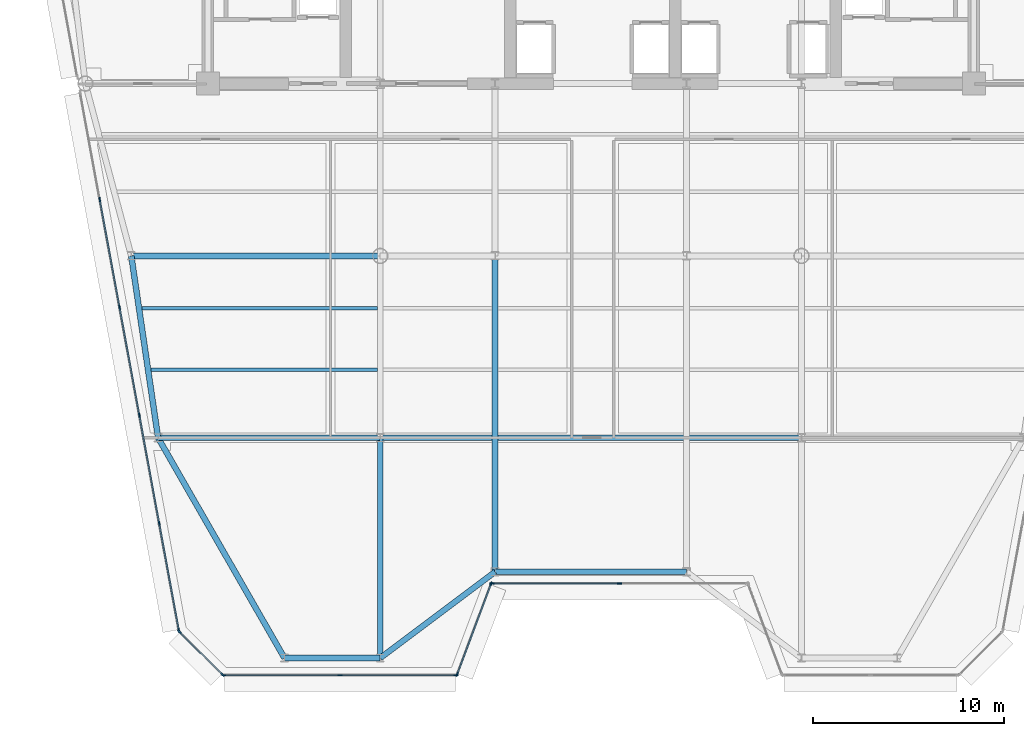
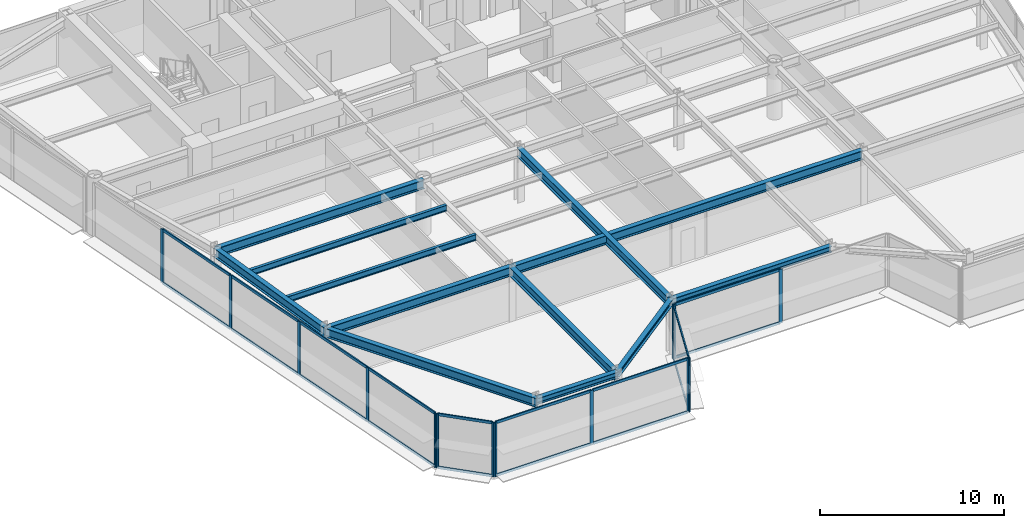
# One storey, part 2 of 15: 32 members, 12 beams, 5 elements without a shape of their own.
"""IFC4 building model written with IfcOpenShell, lengths in metres."""

from ifc_helpers import new_model, si_unit, direction, frame, origin, origin_2d, place, context, subcontext, project, spatial, rectangle, i_section, extrude, source, transform, mapped, material, layer, layer_set, material_profile, profile_set, type_object, element, aggregate, save


model = new_model("IFC4")

# Units and contexts
model_context = context("Model", 3, precision=1e-05, world=origin(), true_north=direction((0.0, 1.0)))
body_context = subcontext(model_context, "Body", "Model", "MODEL_VIEW")
ifc_project = project(units=[si_unit("LENGTHUNIT", "METRE"), si_unit("AREAUNIT", "SQUARE_METRE"), si_unit("VOLUMEUNIT", "CUBIC_METRE"), si_unit("PLANEANGLEUNIT", "RADIAN"), si_unit("MASSUNIT", "GRAM", prefix="KILO")], contexts=[model_context])

# Site, building, storey
site_placement = place(None, origin())
site = spatial("IfcSite", under=ifc_project, at=site_placement, CompositionType="ELEMENT")
building_placement = place(site_placement, origin())
building = spatial("IfcBuilding", under=site, at=building_placement, Name="Vaeldorn Concourse Tower", CompositionType="ELEMENT")
storey_placement = place(building_placement, frame((0.0, 0.0, 199.39990234375)))
storey = spatial("IfcBuildingStorey", under=building, at=storey_placement, Name="L51", CompositionType="ELEMENT", Elevation=199.39990234375)

# Beams
ifc_material_1 = material(Name="Steel S355", Category="steel")
ifc_material_profile_1 = material_profile(ifc_material_1, i_section(OverallWidth=0.300048828125, OverallDepth=0.60009765625, WebThickness=0.015380859375, FlangeThickness=0.030029296875, FilletRadius=0.027099609375, at=origin_2d()), Name="HEB 600")
ifc_profile_set_1 = profile_set([ifc_material_profile_1], Name="Steel S355")
beam_type_1 = type_object("IfcBeamType", Name="BM-PG-HEB600", PredefinedType="BEAM", material=ifc_profile_set_1)
shared_shape_1 = source(origin(), body_context, "Body", "SweptSolid", [
    extrude(i_section(OverallWidth=0.300048828125, OverallDepth=0.60009765625, WebThickness=0.015380859375, FlangeThickness=0.030029296875, FilletRadius=0.027099609375, at=origin_2d()), origin(), (0.0, 0.0, 1.0), 13.0),
])
beam_1_placement = place(storey_placement, frame((10.0, 27.5, 3.280029296875), z_axis=(1.0, 0.0, 0.0), x_axis=(0.0, 1.0, 0.0)))
element("IfcBeam", 1, at=beam_1_placement, inside=storey, type_object=beam_type_1, Name="Beam BM-L51-C-FLW1-C-TW1", PredefinedType="BEAM", context=body_context, shape_type="MappedRepresentation", body=[
    mapped(shared_shape_1, transform((0.0, 0.0, 0.0), scale=1.0)),
])
shared_shape_2 = source(origin(), body_context, "Body", "SweptSolid", [
    extrude(i_section(OverallWidth=0.300048828125, OverallDepth=0.60009765625, WebThickness=0.015380859375, FlangeThickness=0.030029296875, FilletRadius=0.027099609375, at=origin_2d()), origin(), (0.0, 0.0, 1.0), 9.6025390625),
])
beam_2_placement = place(storey_placement, frame((10.0, 27.5, 3.280029296875), z_axis=(0.145783835977, -0.989316467652, 0.0), x_axis=(0.989316467652, 0.145783835977, 0.0)))
element("IfcBeam", 2, at=beam_2_placement, inside=storey, type_object=beam_type_1, Name="Beam BM-L51-C-FLW1-C-FLW2", PredefinedType="BEAM", context=body_context, shape_type="MappedRepresentation", body=[
    mapped(shared_shape_2, transform((0.0, 0.0, 0.0), scale=1.0)),
])
shared_shape_3 = source(origin(), body_context, "Body", "SweptSolid", [
    extrude(i_section(OverallWidth=0.300048828125, OverallDepth=0.60009765625, WebThickness=0.015380859375, FlangeThickness=0.030029296875, FilletRadius=0.027099609375, at=origin_2d()), origin(), (0.0, 0.0, 1.0), 11.60009765625),
])
beam_3_placement = place(storey_placement, frame((11.39990234375, 18.0, 3.280029296875), z_axis=(1.0, 0.0, 0.0), x_axis=(0.0, 1.0, 0.0)))
element("IfcBeam", 3, at=beam_3_placement, inside=storey, type_object=beam_type_1, Name="Beam BM-L51-C-FLW2-C-TW5", PredefinedType="BEAM", context=body_context, shape_type="MappedRepresentation", body=[
    mapped(shared_shape_3, transform((0.0, 0.0, 0.0), scale=1.0)),
])
shared_shape_4 = source(origin(), body_context, "Body", "SweptSolid", [
    extrude(i_section(OverallWidth=0.300048828125, OverallDepth=0.60009765625, WebThickness=0.015380859375, FlangeThickness=0.030029296875, FilletRadius=0.027099609375, at=origin_2d()), origin(), (0.0, 0.0, 1.0), 22.0),
])
beam_4_placement = place(storey_placement, frame((23.0, 18.0, 3.280029296875), z_axis=(1.0, 0.0, 0.0), x_axis=(0.0, 1.0, 0.0)))
element("IfcBeam", 4, at=beam_4_placement, inside=storey, type_object=beam_type_1, Name="Beam BM-L51-C-TW5-C-TW6", PredefinedType="BEAM", context=body_context, shape_type="MappedRepresentation", body=[
    mapped(shared_shape_4, transform((0.0, 0.0, 0.0), scale=1.0)),
])
shared_shape_5 = source(origin(), body_context, "Body", "SweptSolid", [
    extrude(i_section(OverallWidth=0.300048828125, OverallDepth=0.60009765625, WebThickness=0.015380859375, FlangeThickness=0.030029296875, FilletRadius=0.027099609375, at=origin_2d()), origin(), (0.0, 0.0, 1.0), 13.25927734375),
])
beam_5_placement = place(storey_placement, frame((18.0, 6.5, 3.280029296875), z_axis=(-0.497768009943, 0.867310214558, 0.0), x_axis=(-0.867310214558, -0.497768009943, 0.0)))
element("IfcBeam", 5, at=beam_5_placement, inside=storey, type_object=beam_type_1, Name="Beam BM-L51-C-SF1-C-FLW2", PredefinedType="BEAM", context=body_context, shape_type="MappedRepresentation", body=[
    mapped(shared_shape_5, transform((0.0, 0.0, 0.0), scale=1.0)),
])
shared_shape_6 = source(origin(), body_context, "Body", "SweptSolid", [
    extrude(i_section(OverallWidth=0.300048828125, OverallDepth=0.60009765625, WebThickness=0.015380859375, FlangeThickness=0.030029296875, FilletRadius=0.027099609375, at=origin_2d()), origin(), (0.0, 0.0, 1.0), 11.5),
])
beam_6_placement = place(storey_placement, frame((23.0, 6.5, 3.280029296875), z_axis=(0.0, 1.0, 0.0), x_axis=(-1.0, 0.0, 0.0)))
element("IfcBeam", 6, at=beam_6_placement, inside=storey, type_object=beam_type_1, Name="Beam BM-L51-C-SF2-C-TW5", PredefinedType="BEAM", context=body_context, shape_type="MappedRepresentation", body=[
    mapped(shared_shape_6, transform((0.0, 0.0, 0.0), scale=1.0)),
])
shared_shape_7 = source(origin(), body_context, "Body", "SweptSolid", [
    extrude(i_section(OverallWidth=0.300048828125, OverallDepth=0.60009765625, WebThickness=0.015380859375, FlangeThickness=0.030029296875, FilletRadius=0.027099609375, at=origin_2d()), origin(), (0.0, 0.0, 1.0), 16.5),
])
beam_7_placement = place(storey_placement, frame((29.0, 11.0, 3.280029296875), z_axis=(0.0, 1.0, 0.0), x_axis=(-1.0, 0.0, 0.0)))
element("IfcBeam", 7, at=beam_7_placement, inside=storey, type_object=beam_type_1, Name="Beam BM-L51-C-SF3-C-TW2", PredefinedType="BEAM", context=body_context, shape_type="MappedRepresentation", body=[
    mapped(shared_shape_7, transform((0.0, 0.0, 0.0), scale=1.0)),
])
ifc_material_profile_2 = material_profile(ifc_material_1, i_section(OverallWidth=0.300048828125, OverallDepth=0.39990234375, WebThickness=0.013427734375, FlangeThickness=0.02392578125, FilletRadius=0.027099609375, at=origin_2d()), Name="HEB 400")
ifc_profile_set_2 = profile_set([ifc_material_profile_2], Name="Steel S355")
beam_type_2 = type_object("IfcBeamType", Name="BM-SP-HEB400", PredefinedType="SPANDREL", material=ifc_profile_set_2)
shared_shape_8 = source(origin(), body_context, "Body", "SweptSolid", [
    extrude(i_section(OverallWidth=0.300048828125, OverallDepth=0.39990234375, WebThickness=0.013427734375, FlangeThickness=0.02392578125, FilletRadius=0.027099609375, at=origin_2d()), origin(), (0.0, 0.0, 1.0), 5.0),
])
beam_8_placement = place(storey_placement, frame((18.0, 6.5, 3.380126953125), z_axis=(1.0, 0.0, 0.0), x_axis=(0.0, 1.0, 0.0)))
element("IfcBeam", 8, at=beam_8_placement, inside=storey, type_object=beam_type_2, Name="Beam BM-L51-C-SF1-C-SF2", PredefinedType="SPANDREL", context=body_context, shape_type="MappedRepresentation", body=[
    mapped(shared_shape_8, transform((0.0, 0.0, 0.0), scale=1.0)),
])
shared_shape_9 = source(origin(), body_context, "Body", "SweptSolid", [
    extrude(i_section(OverallWidth=0.300048828125, OverallDepth=0.39990234375, WebThickness=0.013427734375, FlangeThickness=0.02392578125, FilletRadius=0.027099609375, at=origin_2d()), origin(), (0.0, 0.0, 1.0), 7.5),
])
beam_9_placement = place(storey_placement, frame((23.0, 6.5, 3.380126953125), z_axis=(0.8, 0.6, 0.0), x_axis=(-0.6, 0.8, 0.0)))
element("IfcBeam", 9, at=beam_9_placement, inside=storey, type_object=beam_type_2, Name="Beam BM-L51-C-SF2-C-SF3", PredefinedType="SPANDREL", context=body_context, shape_type="MappedRepresentation", body=[
    mapped(shared_shape_9, transform((0.0, 0.0, 0.0), scale=1.0)),
])
shared_shape_10 = source(origin(), body_context, "Body", "SweptSolid", [
    extrude(i_section(OverallWidth=0.300048828125, OverallDepth=0.39990234375, WebThickness=0.013427734375, FlangeThickness=0.02392578125, FilletRadius=0.027099609375, at=origin_2d()), origin(), (0.0, 0.0, 1.0), 10.0),
])
beam_10_placement = place(storey_placement, frame((29.0, 11.0, 3.380126953125), z_axis=(1.0, 0.0, 0.0), x_axis=(0.0, 1.0, 0.0)))
element("IfcBeam", 10, at=beam_10_placement, inside=storey, type_object=beam_type_2, Name="Beam BM-L51-C-SF3-C-SF4", PredefinedType="SPANDREL", context=body_context, shape_type="MappedRepresentation", body=[
    mapped(shared_shape_10, transform((0.0, 0.0, 0.0), scale=1.0)),
])
ifc_material_profile_3 = material_profile(ifc_material_1, i_section(OverallWidth=0.179931640625, OverallDepth=0.39990234375, WebThickness=0.008544921875, FlangeThickness=0.013427734375, FilletRadius=0.02099609375, at=origin_2d()), Name="IPE 400")
ifc_profile_set_3 = profile_set([ifc_material_profile_3], Name="Steel S355")
beam_type_3 = type_object("IfcBeamType", Name="BM-JS-IPE400", PredefinedType="JOIST", material=ifc_profile_set_3)
shared_shape_11 = source(origin(), body_context, "Body", "SweptSolid", [
    extrude(i_section(OverallWidth=0.179931640625, OverallDepth=0.39990234375, WebThickness=0.008544921875, FlangeThickness=0.013427734375, FilletRadius=0.02099609375, at=origin_2d()), origin(), (0.0, 0.0, 1.0), 11.82470703125),
])
beam_11_placement = place(storey_placement, frame((11.025390625, 21.56005859375, 3.380126953125), z_axis=(1.0, 0.0, 0.0), x_axis=(0.0, 1.0, 0.0)))
element("IfcBeam", 11, at=beam_11_placement, inside=storey, type_object=beam_type_3, Name="Beam JS-L51-W1-215", PredefinedType="JOIST", context=body_context, shape_type="MappedRepresentation", body=[
    mapped(shared_shape_11, transform((0.0, 0.0, 0.0), scale=1.0)),
])
shared_shape_12 = source(origin(), body_context, "Body", "SweptSolid", [
    extrude(i_section(OverallWidth=0.179931640625, OverallDepth=0.39990234375, WebThickness=0.008544921875, FlangeThickness=0.013427734375, FilletRadius=0.02099609375, at=origin_2d()), origin(), (0.0, 0.0, 1.0), 12.29638671875),
])
beam_12_placement = place(storey_placement, frame((10.5537109375, 24.760009765625, 3.380126953125), z_axis=(1.0, 0.0, 0.0), x_axis=(0.0, 1.0, 0.0)))
element("IfcBeam", 12, at=beam_12_placement, inside=storey, type_object=beam_type_3, Name="Beam JS-L51-W1-247", PredefinedType="JOIST", context=body_context, shape_type="MappedRepresentation", body=[
    mapped(shared_shape_12, transform((0.0, 0.0, 0.0), scale=1.0)),
])

# Curtain wall, members
ifc_material_2 = material(Name="Anodised Bronze Aluminium", Category="aluminium")
ifc_layer = layer(ifc_material_2, 0.2099609375)
ifc_layer_set = layer_set([ifc_layer], Name="Anodised Bronze Aluminium")
curtain_wall_type = type_object("IfcCurtainWallType", Name="CW-SYS-06", PredefinedType="NOTDEFINED", material=ifc_layer_set)
curtain_wall_1_placement = place(storey_placement, origin())
curtain_wall_1 = element("IfcCurtainWall", 13, at=curtain_wall_1_placement, inside=storey, type_object=curtain_wall_type, Name="Unitised Curtain Wall CW-L51-E03-1", PredefinedType="NOTDEFINED")
ifc_material_profile_4 = material_profile(ifc_material_2, rectangle(XDim=0.074951171875, YDim=0.179931640625, at=origin_2d()), Name="CWT 75x180")
ifc_profile_set_4 = profile_set([ifc_material_profile_4], Name="Anodised Bronze Aluminium")
member_type_1 = type_object("IfcMemberType", Name="CWT-BRONZE-180", PredefinedType="USERDEFINED", material=ifc_profile_set_4)
shared_shape_13 = source(origin(), body_context, "Body", "SweptSolid", [
    extrude(rectangle(XDim=0.074951171875, YDim=0.179931640625, at=origin_2d()), origin(), (0.0, 0.0, 1.0), 6.58740234375),
])
member_1_placement = place(storey_placement, frame((28.875, 10.39990234375, 0.03759765625), z_axis=(1.0, 0.0, 0.0), x_axis=(0.0, 1.0, 0.0)))
member_1 = element("IfcMember", 14, at=member_1_placement, type_object=member_type_1, Name="CW-06 transom 1.1", ObjectType="TRANSOM", PredefinedType="USERDEFINED", context=body_context, shape_type="MappedRepresentation", body=[
    mapped(shared_shape_13, transform((0.0, 0.0, 0.0), scale=1.0)),
])
member_2_placement = place(storey_placement, frame((28.875, 10.39990234375, 3.54248046875), z_axis=(1.0, 0.0, 0.0), x_axis=(0.0, 1.0, 0.0)))
member_2 = element("IfcMember", 15, at=member_2_placement, type_object=member_type_1, Name="CW-06 transom 1.2", ObjectType="TRANSOM", PredefinedType="USERDEFINED", context=body_context, shape_type="MappedRepresentation", body=[
    mapped(shared_shape_13, transform((0.0, 0.0, 0.0), scale=1.0)),
])

curtain_wall_2_placement = place(storey_placement, origin())
curtain_wall_2 = element("IfcCurtainWall", 16, at=curtain_wall_2_placement, inside=storey, type_object=curtain_wall_type, Name="Unitised Curtain Wall CW-L51-E12-1", PredefinedType="NOTDEFINED")
shared_shape_14 = source(origin(), body_context, "Body", "SweptSolid", [
    extrude(rectangle(XDim=0.074951171875, YDim=0.179931640625, at=origin_2d()), origin(), (0.0, 0.0, 1.0), 3.102783203125),
])
member_3_placement = place(storey_placement, frame((12.5439453125, 7.846923828125, 0.03759765625), z_axis=(0.707146122816, -0.707067437368, 0.0), x_axis=(0.707067437368, 0.707146122816, 0.0)))
member_3 = element("IfcMember", 17, at=member_3_placement, type_object=member_type_1, Name="CW-06 transom 1.1", ObjectType="TRANSOM", PredefinedType="USERDEFINED", context=body_context, shape_type="MappedRepresentation", body=[
    mapped(shared_shape_14, transform((0.0, 0.0, 0.0), scale=1.0)),
])
member_4_placement = place(storey_placement, frame((12.5439453125, 7.846923828125, 3.54248046875), z_axis=(0.707146122816, -0.707067437368, 0.0), x_axis=(0.707067437368, 0.707146122816, 0.0)))
member_4 = element("IfcMember", 18, at=member_4_placement, type_object=member_type_1, Name="CW-06 transom 1.2", ObjectType="TRANSOM", PredefinedType="USERDEFINED", context=body_context, shape_type="MappedRepresentation", body=[
    mapped(shared_shape_14, transform((0.0, 0.0, 0.0), scale=1.0)),
])

curtain_wall_3_placement = place(storey_placement, origin())
curtain_wall_3 = element("IfcCurtainWall", 19, at=curtain_wall_3_placement, inside=storey, type_object=curtain_wall_type, Name="Unitised Curtain Wall CW-L51-E02-1", PredefinedType="NOTDEFINED")
shared_shape_15 = source(origin(), body_context, "Body", "SweptSolid", [
    extrude(rectangle(XDim=0.074951171875, YDim=0.179931640625, at=origin_2d()), origin(), (0.0, 0.0, 1.0), 4.9765625),
])
member_5_placement = place(storey_placement, frame((27.0263671875, 5.670166015625, 0.03759765625), z_axis=(0.351112688987, 0.936333209724, 0.0), x_axis=(-0.936333209724, 0.351112688987, 0.0)))
member_5 = element("IfcMember", 20, at=member_5_placement, type_object=member_type_1, Name="CW-06 transom 1.1", ObjectType="TRANSOM", PredefinedType="USERDEFINED", context=body_context, shape_type="MappedRepresentation", body=[
    mapped(shared_shape_15, transform((0.0, 0.0, 0.0), scale=1.0)),
])
member_6_placement = place(storey_placement, frame((27.0263671875, 5.670166015625, 3.54248046875), z_axis=(0.351112688987, 0.936333209724, 0.0), x_axis=(-0.936333209724, 0.351112688987, 0.0)))
member_6 = element("IfcMember", 21, at=member_6_placement, type_object=member_type_1, Name="CW-06 transom 1.2", ObjectType="TRANSOM", PredefinedType="USERDEFINED", context=body_context, shape_type="MappedRepresentation", body=[
    mapped(shared_shape_15, transform((0.0, 0.0, 0.0), scale=1.0)),
])

curtain_wall_4_placement = place(storey_placement, origin())
curtain_wall_4 = element("IfcCurtainWall", 22, at=curtain_wall_4_placement, inside=storey, type_object=curtain_wall_type, Name="Unitised Curtain Wall CW-L51-E01-1", PredefinedType="NOTDEFINED")
ifc_material_profile_5 = material_profile(ifc_material_2, rectangle(XDim=0.074951171875, YDim=0.219970703125, at=origin_2d()), Name="CWM 75x220")
ifc_profile_set_5 = profile_set([ifc_material_profile_5], Name="Anodised Bronze Aluminium")
member_type_2 = type_object("IfcMemberType", Name="CWM-BRONZE-220", PredefinedType="MULLION", material=ifc_profile_set_5)
shared_shape_16 = source(origin(), body_context, "Body", "SweptSolid", [
    extrude(rectangle(XDim=0.074951171875, YDim=0.219970703125, at=origin_2d()), origin(), (0.0, 0.0, 1.0), 3.580078125),
])
member_7_placement = place(storey_placement, frame((14.82861328125, 5.60009765625, 0.0), z_axis=(0.0, 0.0, 1.0), x_axis=(0.0, 1.0, 0.0)))
member_7 = element("IfcMember", 23, at=member_7_placement, type_object=member_type_2, Name="CW-06 mullion 1", PredefinedType="MULLION", context=body_context, shape_type="MappedRepresentation", body=[
    mapped(shared_shape_16, transform((0.0, 0.0, 0.0), scale=1.0)),
])
member_8_placement = place(storey_placement, frame((20.8955078125, 5.60009765625, 0.0), z_axis=(0.0, 0.0, 1.0), x_axis=(0.0, 1.0, 0.0)))
member_8 = element("IfcMember", 24, at=member_8_placement, type_object=member_type_2, Name="CW-06 mullion 2", PredefinedType="MULLION", context=body_context, shape_type="MappedRepresentation", body=[
    mapped(shared_shape_16, transform((0.0, 0.0, 0.0), scale=1.0)),
])
member_9_placement = place(storey_placement, frame((26.96240234375, 5.60009765625, 0.0), z_axis=(0.0, 0.0, 1.0), x_axis=(0.0, 1.0, 0.0)))
member_9 = element("IfcMember", 25, at=member_9_placement, type_object=member_type_2, Name="CW-06 mullion 3", PredefinedType="MULLION", context=body_context, shape_type="MappedRepresentation", body=[
    mapped(shared_shape_16, transform((0.0, 0.0, 0.0), scale=1.0)),
])

# Member
member_10_placement = place(storey_placement, frame((27.01318359375, 5.635009765625, 0.0), z_axis=(0.0, 0.0, 1.0), x_axis=(-0.936329177566, 0.351123441595, 0.0)))
member_10 = element("IfcMember", 26, at=member_10_placement, type_object=member_type_2, Name="CW-06 mullion 1", PredefinedType="MULLION", context=body_context, shape_type="MappedRepresentation", body=[
    mapped(shared_shape_16, transform((0.0, 0.0, 0.0), scale=1.0)),
])

member_11_placement = place(storey_placement, frame((28.786865234375, 10.364990234375, 0.0), z_axis=(0.0, 0.0, 1.0), x_axis=(-0.936329177566, 0.351123441595, 0.0)))
member_11 = element("IfcMember", 27, at=member_11_placement, type_object=member_type_2, Name="CW-06 mullion 2", PredefinedType="MULLION", context=body_context, shape_type="MappedRepresentation", body=[
    mapped(shared_shape_16, transform((0.0, 0.0, 0.0), scale=1.0)),
])

aggregate(curtain_wall_3, [member_10, member_11, member_5, member_6])

member_12_placement = place(storey_placement, frame((28.83740234375, 10.39990234375, 0.0), z_axis=(0.0, 0.0, 1.0), x_axis=(0.0, 1.0, 0.0)))
member_12 = element("IfcMember", 28, at=member_12_placement, type_object=member_type_2, Name="CW-06 mullion 1", PredefinedType="MULLION", context=body_context, shape_type="MappedRepresentation", body=[
    mapped(shared_shape_16, transform((0.0, 0.0, 0.0), scale=1.0)),
])

member_13_placement = place(storey_placement, frame((35.5, 10.39990234375, 0.0), z_axis=(0.0, 0.0, 1.0), x_axis=(0.0, 1.0, 0.0)))
member_13 = element("IfcMember", 29, at=member_13_placement, type_object=member_type_2, Name="CW-06 mullion 2", PredefinedType="MULLION", context=body_context, shape_type="MappedRepresentation", body=[
    mapped(shared_shape_16, transform((0.0, 0.0, 0.0), scale=1.0)),
])

aggregate(curtain_wall_1, [member_12, member_13, member_1, member_2])

# Curtain wall, members
curtain_wall_5_placement = place(storey_placement, origin())
curtain_wall_5 = element("IfcCurtainWall", 30, at=curtain_wall_5_placement, inside=storey, type_object=curtain_wall_type, Name="Unitised Curtain Wall CW-L51-E11-2", PredefinedType="NOTDEFINED")
member_14_placement = place(storey_placement, frame((8.351318359375, 30.44677734375, 0.0), z_axis=(0.0, 0.0, 1.0), x_axis=(0.983559325018, 0.180585309951, 0.0)))
member_14 = element("IfcMember", 31, at=member_14_placement, type_object=member_type_2, Name="CW-06 mullion 2", PredefinedType="MULLION", context=body_context, shape_type="MappedRepresentation", body=[
    mapped(shared_shape_16, transform((0.0, 0.0, 0.0), scale=1.0)),
])
member_15_placement = place(storey_placement, frame((9.38623046875, 24.81005859375, 0.0), z_axis=(0.0, 0.0, 1.0), x_axis=(0.983559325018, 0.180585309951, 0.0)))
member_15 = element("IfcMember", 32, at=member_15_placement, type_object=member_type_2, Name="CW-06 mullion 3", PredefinedType="MULLION", context=body_context, shape_type="MappedRepresentation", body=[
    mapped(shared_shape_16, transform((0.0, 0.0, 0.0), scale=1.0)),
])
member_16_placement = place(storey_placement, frame((10.421142578125, 19.17333984375, 0.0), z_axis=(0.0, 0.0, 1.0), x_axis=(0.983559325018, 0.180585309951, 0.0)))
member_16 = element("IfcMember", 33, at=member_16_placement, type_object=member_type_2, Name="CW-06 mullion 4", PredefinedType="MULLION", context=body_context, shape_type="MappedRepresentation", body=[
    mapped(shared_shape_16, transform((0.0, 0.0, 0.0), scale=1.0)),
])
member_17_placement = place(storey_placement, frame((11.4560546875, 13.53662109375, 0.0), z_axis=(0.0, 0.0, 1.0), x_axis=(0.983559325018, 0.180585309951, 0.0)))
member_17 = element("IfcMember", 34, at=member_17_placement, type_object=member_type_2, Name="CW-06 mullion 5", PredefinedType="MULLION", context=body_context, shape_type="MappedRepresentation", body=[
    mapped(shared_shape_16, transform((0.0, 0.0, 0.0), scale=1.0)),
])
member_18_placement = place(storey_placement, frame((12.484130859375, 7.936767578125, 0.0), z_axis=(0.0, 0.0, 1.0), x_axis=(0.983559325018, 0.180585309951, 0.0)))
member_18 = element("IfcMember", 35, at=member_18_placement, type_object=member_type_2, Name="CW-06 mullion 6", PredefinedType="MULLION", context=body_context, shape_type="MappedRepresentation", body=[
    mapped(shared_shape_16, transform((0.0, 0.0, 0.0), scale=1.0)),
])

# Member
member_19_placement = place(storey_placement, frame((12.517578125, 7.87353515625, 0.0), z_axis=(0.0, 0.0, 1.0), x_axis=(0.707106781187, 0.707106781187, 0.0)))
member_19 = element("IfcMember", 36, at=member_19_placement, type_object=member_type_2, Name="CW-06 mullion 1", PredefinedType="MULLION", context=body_context, shape_type="MappedRepresentation", body=[
    mapped(shared_shape_16, transform((0.0, 0.0, 0.0), scale=1.0)),
])

member_20_placement = place(storey_placement, frame((14.764404296875, 5.62646484375, 0.0), z_axis=(0.0, 0.0, 1.0), x_axis=(0.707106781187, 0.707106781187, 0.0)))
member_20 = element("IfcMember", 37, at=member_20_placement, type_object=member_type_2, Name="CW-06 mullion 2", PredefinedType="MULLION", context=body_context, shape_type="MappedRepresentation", body=[
    mapped(shared_shape_16, transform((0.0, 0.0, 0.0), scale=1.0)),
])

aggregate(curtain_wall_2, [member_19, member_20, member_3, member_4])

shared_shape_17 = source(origin(), body_context, "Body", "SweptSolid", [
    extrude(rectangle(XDim=0.074951171875, YDim=0.179931640625, at=origin_2d()), origin(), (0.0, 0.0, 1.0), 5.991943359375),
])
member_21_placement = place(storey_placement, frame((14.865966796875, 5.60009765625, 0.03759765625), z_axis=(1.0, 0.0, 0.0), x_axis=(0.0, 1.0, 0.0)))
member_21 = element("IfcMember", 38, at=member_21_placement, type_object=member_type_1, Name="CW-06 transom 1.1", ObjectType="TRANSOM", PredefinedType="USERDEFINED", context=body_context, shape_type="MappedRepresentation", body=[
    mapped(shared_shape_17, transform((0.0, 0.0, 0.0), scale=1.0)),
])

member_22_placement = place(storey_placement, frame((14.865966796875, 5.60009765625, 3.54248046875), z_axis=(1.0, 0.0, 0.0), x_axis=(0.0, 1.0, 0.0)))
member_22 = element("IfcMember", 39, at=member_22_placement, type_object=member_type_1, Name="CW-06 transom 1.2", ObjectType="TRANSOM", PredefinedType="USERDEFINED", context=body_context, shape_type="MappedRepresentation", body=[
    mapped(shared_shape_17, transform((0.0, 0.0, 0.0), scale=1.0)),
])

member_23_placement = place(storey_placement, frame((20.93310546875, 5.60009765625, 0.03759765625), z_axis=(1.0, 0.0, 0.0), x_axis=(0.0, 1.0, 0.0)))
member_23 = element("IfcMember", 40, at=member_23_placement, type_object=member_type_1, Name="CW-06 transom 2.1", ObjectType="TRANSOM", PredefinedType="USERDEFINED", context=body_context, shape_type="MappedRepresentation", body=[
    mapped(shared_shape_17, transform((0.0, 0.0, 0.0), scale=1.0)),
])

member_24_placement = place(storey_placement, frame((20.93310546875, 5.60009765625, 3.54248046875), z_axis=(1.0, 0.0, 0.0), x_axis=(0.0, 1.0, 0.0)))
member_24 = element("IfcMember", 41, at=member_24_placement, type_object=member_type_1, Name="CW-06 transom 2.2", ObjectType="TRANSOM", PredefinedType="USERDEFINED", context=body_context, shape_type="MappedRepresentation", body=[
    mapped(shared_shape_17, transform((0.0, 0.0, 0.0), scale=1.0)),
])

aggregate(curtain_wall_4, [member_7, member_8, member_9, member_21, member_22, member_23, member_24])

shared_shape_18 = source(origin(), body_context, "Body", "SweptSolid", [
    extrude(rectangle(XDim=0.074951171875, YDim=0.179931640625, at=origin_2d()), origin(), (0.0, 0.0, 1.0), 5.6181640625),
])
member_25_placement = place(storey_placement, frame((11.462890625, 13.499755859375, 0.03759765625), z_axis=(0.180598330775, -0.983556934255, 0.0), x_axis=(0.983556934255, 0.180598330775, 0.0)))
member_25 = element("IfcMember", 42, at=member_25_placement, type_object=member_type_1, Name="CW-06 transom 5.1", ObjectType="TRANSOM", PredefinedType="USERDEFINED", context=body_context, shape_type="MappedRepresentation", body=[
    mapped(shared_shape_18, transform((0.0, 0.0, 0.0), scale=1.0)),
])

member_26_placement = place(storey_placement, frame((11.462890625, 13.499755859375, 3.54248046875), z_axis=(0.180598330775, -0.983556934255, 0.0), x_axis=(0.983556934255, 0.180598330775, 0.0)))
member_26 = element("IfcMember", 43, at=member_26_placement, type_object=member_type_1, Name="CW-06 transom 5.2", ObjectType="TRANSOM", PredefinedType="USERDEFINED", context=body_context, shape_type="MappedRepresentation", body=[
    mapped(shared_shape_18, transform((0.0, 0.0, 0.0), scale=1.0)),
])

shared_shape_19 = source(origin(), body_context, "Body", "SweptSolid", [
    extrude(rectangle(XDim=0.074951171875, YDim=0.179931640625, at=origin_2d()), origin(), (0.0, 0.0, 1.0), 5.656005859375),
])
member_27_placement = place(storey_placement, frame((8.358154296875, 30.409912109375, 0.03759765625), z_axis=(0.180560336826, -0.983563909853, 0.0), x_axis=(0.983563909853, 0.180560336826, 0.0)))
member_27 = element("IfcMember", 44, at=member_27_placement, type_object=member_type_1, Name="CW-06 transom 2.1", ObjectType="TRANSOM", PredefinedType="USERDEFINED", context=body_context, shape_type="MappedRepresentation", body=[
    mapped(shared_shape_19, transform((0.0, 0.0, 0.0), scale=1.0)),
])

member_28_placement = place(storey_placement, frame((8.358154296875, 30.409912109375, 3.54248046875), z_axis=(0.180560336826, -0.983563909853, 0.0), x_axis=(0.983563909853, 0.180560336826, 0.0)))
member_28 = element("IfcMember", 45, at=member_28_placement, type_object=member_type_1, Name="CW-06 transom 2.2", ObjectType="TRANSOM", PredefinedType="USERDEFINED", context=body_context, shape_type="MappedRepresentation", body=[
    mapped(shared_shape_19, transform((0.0, 0.0, 0.0), scale=1.0)),
])

member_29_placement = place(storey_placement, frame((9.39306640625, 24.773193359375, 0.03759765625), z_axis=(0.180560336826, -0.983563909853, 0.0), x_axis=(0.983563909853, 0.180560336826, 0.0)))
member_29 = element("IfcMember", 46, at=member_29_placement, type_object=member_type_1, Name="CW-06 transom 3.1", ObjectType="TRANSOM", PredefinedType="USERDEFINED", context=body_context, shape_type="MappedRepresentation", body=[
    mapped(shared_shape_19, transform((0.0, 0.0, 0.0), scale=1.0)),
])

member_30_placement = place(storey_placement, frame((9.39306640625, 24.773193359375, 3.54248046875), z_axis=(0.180560336826, -0.983563909853, 0.0), x_axis=(0.983563909853, 0.180560336826, 0.0)))
member_30 = element("IfcMember", 47, at=member_30_placement, type_object=member_type_1, Name="CW-06 transom 3.2", ObjectType="TRANSOM", PredefinedType="USERDEFINED", context=body_context, shape_type="MappedRepresentation", body=[
    mapped(shared_shape_19, transform((0.0, 0.0, 0.0), scale=1.0)),
])

member_31_placement = place(storey_placement, frame((10.427978515625, 19.136474609375, 0.03759765625), z_axis=(0.180560336826, -0.983563909853, 0.0), x_axis=(0.983563909853, 0.180560336826, 0.0)))
member_31 = element("IfcMember", 48, at=member_31_placement, type_object=member_type_1, Name="CW-06 transom 4.1", ObjectType="TRANSOM", PredefinedType="USERDEFINED", context=body_context, shape_type="MappedRepresentation", body=[
    mapped(shared_shape_19, transform((0.0, 0.0, 0.0), scale=1.0)),
])

member_32_placement = place(storey_placement, frame((10.427978515625, 19.136474609375, 3.54248046875), z_axis=(0.180560336826, -0.983563909853, 0.0), x_axis=(0.983563909853, 0.180560336826, 0.0)))
member_32 = element("IfcMember", 49, at=member_32_placement, type_object=member_type_1, Name="CW-06 transom 4.2", ObjectType="TRANSOM", PredefinedType="USERDEFINED", context=body_context, shape_type="MappedRepresentation", body=[
    mapped(shared_shape_19, transform((0.0, 0.0, 0.0), scale=1.0)),
])

aggregate(curtain_wall_5, [member_14, member_15, member_16, member_17, member_18, member_27, member_28, member_29, member_30, member_31, member_32, member_25, member_26])

save(model, "model.ifc")
